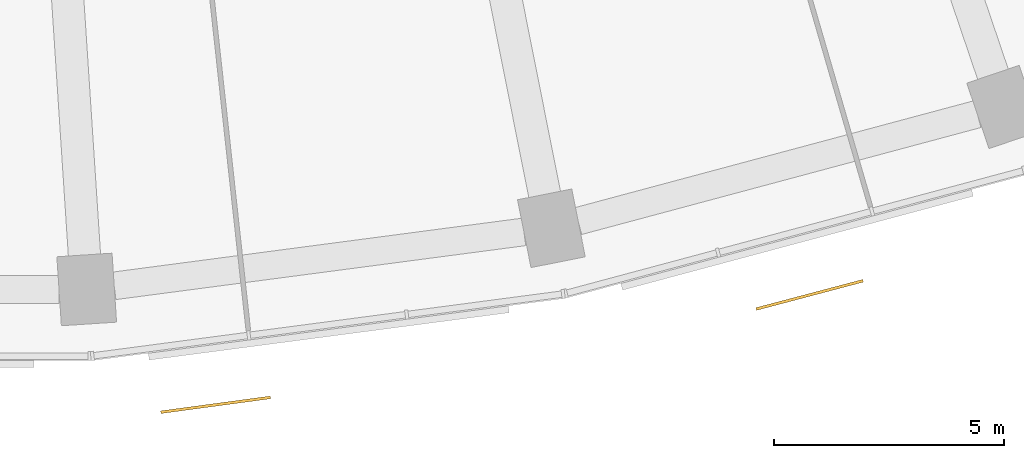
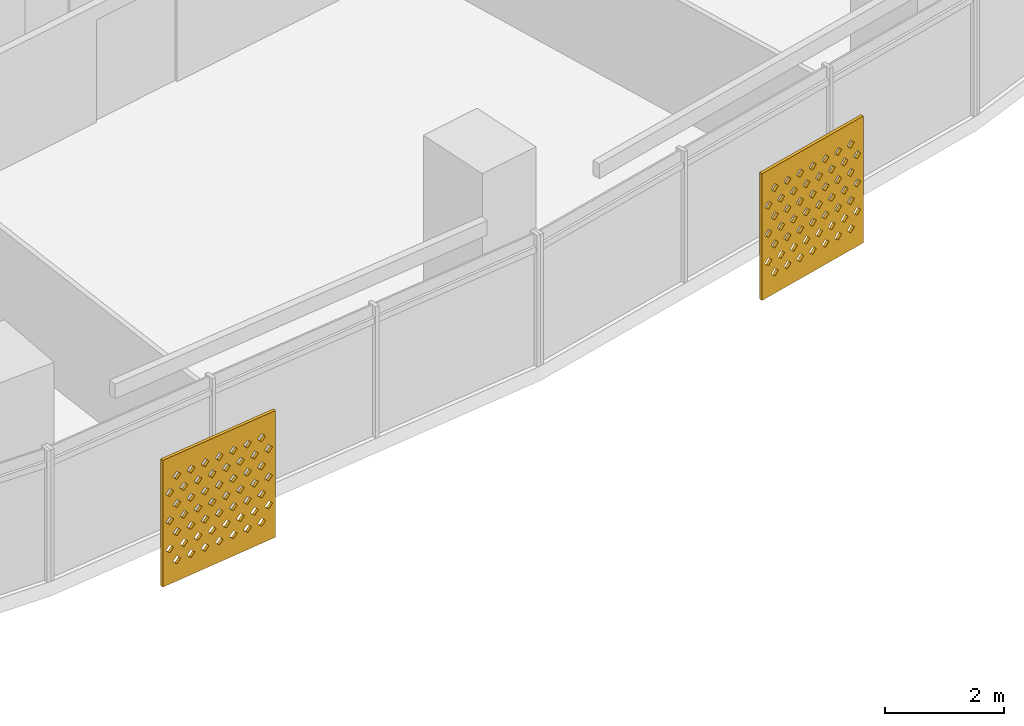
# One storey, part 27 of 30: 2 shading devices.
"""IFC4 building model written with IfcOpenShell, lengths in metres."""

from ifc_helpers import new_model, si_unit, direction, frame, origin, place, context, subcontext, project, spatial, polyline, outline, extrude, material, material_profile, profile_set, type_object, element, save


model = new_model("IFC4")

# Units and contexts
model_context = context("Model", 3, precision=1e-05, world=origin(), true_north=direction((0.0, 1.0)))
body_context = subcontext(model_context, "Body", "Model", "MODEL_VIEW")
ifc_project = project(units=[si_unit("LENGTHUNIT", "METRE"), si_unit("AREAUNIT", "SQUARE_METRE"), si_unit("VOLUMEUNIT", "CUBIC_METRE"), si_unit("PLANEANGLEUNIT", "RADIAN"), si_unit("MASSUNIT", "GRAM", prefix="KILO")], contexts=[model_context])

# Site, building, storey
site_placement = place(None, origin())
site = spatial("IfcSite", under=ifc_project, at=site_placement, CompositionType="ELEMENT")
building_placement = place(site_placement, origin())
building = spatial("IfcBuilding", under=site, at=building_placement, Name="Qamariyya Broadcast Tower", CompositionType="ELEMENT")
storey_placement = place(building_placement, frame((0.0, 0.0, 98.699951171875)))
storey = spatial("IfcBuildingStorey", under=building, at=storey_placement, Name="L21", CompositionType="ELEMENT", Elevation=98.699951171875)

# Shading devices
ifc_material = material(Name="Perforated glazed terracotta", Category="masonry")
ifc_material_profile = material_profile(ifc_material, outline(polyline([(-1.199951171875, -1.300048828125), (1.199951171875, -1.300048828125), (1.199951171875, 1.300048828125), (-1.199951171875, 1.300048828125), (-1.199951171875, -1.300048828125)]), holes=[polyline([(-0.81494140625, -0.86669921875), (-0.89990234375, -0.78173828125), (-0.985107421875, -0.86669921875), (-0.89990234375, -0.95166015625), (-0.81494140625, -0.86669921875)]), polyline([(-0.514892578125, -0.86669921875), (-0.60009765625, -0.78173828125), (-0.68505859375, -0.86669921875), (-0.60009765625, -0.95166015625), (-0.514892578125, -0.86669921875)]), polyline([(-0.215087890625, -0.86669921875), (-0.300048828125, -0.78173828125), (-0.385009765625, -0.86669921875), (-0.300048828125, -0.95166015625), (-0.215087890625, -0.86669921875)]), polyline([(0.0849609375, -0.86669921875), (0.0, -0.78173828125), (-0.0849609375, -0.86669921875), (0.0, -0.95166015625), (0.0849609375, -0.86669921875)]), polyline([(0.385009765625, -0.86669921875), (0.300048828125, -0.78173828125), (0.215087890625, -0.86669921875), (0.300048828125, -0.95166015625), (0.385009765625, -0.86669921875)]), polyline([(0.68505859375, -0.86669921875), (0.60009765625, -0.78173828125), (0.514892578125, -0.86669921875), (0.60009765625, -0.95166015625), (0.68505859375, -0.86669921875)]), polyline([(0.985107421875, -0.86669921875), (0.89990234375, -0.78173828125), (0.81494140625, -0.86669921875), (0.89990234375, -0.95166015625), (0.985107421875, -0.86669921875)]), polyline([(-0.965087890625, -0.577880859375), (-1.050048828125, -0.49267578125), (-1.135009765625, -0.577880859375), (-1.050048828125, -0.662841796875), (-0.965087890625, -0.577880859375)]), polyline([(-0.6650390625, -0.577880859375), (-0.75, -0.49267578125), (-0.8349609375, -0.577880859375), (-0.75, -0.662841796875), (-0.6650390625, -0.577880859375)]), polyline([(-0.364990234375, -0.577880859375), (-0.449951171875, -0.49267578125), (-0.534912109375, -0.577880859375), (-0.449951171875, -0.662841796875), (-0.364990234375, -0.577880859375)]), polyline([(-0.06494140625, -0.577880859375), (-0.14990234375, -0.49267578125), (-0.235107421875, -0.577880859375), (-0.14990234375, -0.662841796875), (-0.06494140625, -0.577880859375)]), polyline([(0.235107421875, -0.577880859375), (0.14990234375, -0.49267578125), (0.06494140625, -0.577880859375), (0.14990234375, -0.662841796875), (0.235107421875, -0.577880859375)]), polyline([(0.534912109375, -0.577880859375), (0.449951171875, -0.49267578125), (0.364990234375, -0.577880859375), (0.449951171875, -0.662841796875), (0.534912109375, -0.577880859375)]), polyline([(0.8349609375, -0.577880859375), (0.75, -0.49267578125), (0.6650390625, -0.577880859375), (0.75, -0.662841796875), (0.8349609375, -0.577880859375)]), polyline([(1.135009765625, -0.577880859375), (1.050048828125, -0.49267578125), (0.965087890625, -0.577880859375), (1.050048828125, -0.662841796875), (1.135009765625, -0.577880859375)]), polyline([(-0.81494140625, -0.288818359375), (-0.89990234375, -0.203857421875), (-0.985107421875, -0.288818359375), (-0.89990234375, -0.373779296875), (-0.81494140625, -0.288818359375)]), polyline([(-0.514892578125, -0.288818359375), (-0.60009765625, -0.203857421875), (-0.68505859375, -0.288818359375), (-0.60009765625, -0.373779296875), (-0.514892578125, -0.288818359375)]), polyline([(-0.215087890625, -0.288818359375), (-0.300048828125, -0.203857421875), (-0.385009765625, -0.288818359375), (-0.300048828125, -0.373779296875), (-0.215087890625, -0.288818359375)]), polyline([(0.0849609375, -0.288818359375), (0.0, -0.203857421875), (-0.0849609375, -0.288818359375), (0.0, -0.373779296875), (0.0849609375, -0.288818359375)]), polyline([(0.385009765625, -0.288818359375), (0.300048828125, -0.203857421875), (0.215087890625, -0.288818359375), (0.300048828125, -0.373779296875), (0.385009765625, -0.288818359375)]), polyline([(0.68505859375, -0.288818359375), (0.60009765625, -0.203857421875), (0.514892578125, -0.288818359375), (0.60009765625, -0.373779296875), (0.68505859375, -0.288818359375)]), polyline([(0.985107421875, -0.288818359375), (0.89990234375, -0.203857421875), (0.81494140625, -0.288818359375), (0.89990234375, -0.373779296875), (0.985107421875, -0.288818359375)]), polyline([(-0.965087890625, 0.0), (-1.050048828125, 0.0849609375), (-1.135009765625, 0.0), (-1.050048828125, -0.0849609375), (-0.965087890625, 0.0)]), polyline([(-0.6650390625, 0.0), (-0.75, 0.0849609375), (-0.8349609375, 0.0), (-0.75, -0.0849609375), (-0.6650390625, 0.0)]), polyline([(-0.364990234375, 0.0), (-0.449951171875, 0.0849609375), (-0.534912109375, 0.0), (-0.449951171875, -0.0849609375), (-0.364990234375, 0.0)]), polyline([(-0.06494140625, 0.0), (-0.14990234375, 0.0849609375), (-0.235107421875, 0.0), (-0.14990234375, -0.0849609375), (-0.06494140625, 0.0)]), polyline([(0.235107421875, 0.0), (0.14990234375, 0.0849609375), (0.06494140625, 0.0), (0.14990234375, -0.0849609375), (0.235107421875, 0.0)]), polyline([(0.534912109375, 0.0), (0.449951171875, 0.0849609375), (0.364990234375, 0.0), (0.449951171875, -0.0849609375), (0.534912109375, 0.0)]), polyline([(0.8349609375, 0.0), (0.75, 0.0849609375), (0.6650390625, 0.0), (0.75, -0.0849609375), (0.8349609375, 0.0)]), polyline([(1.135009765625, 0.0), (1.050048828125, 0.0849609375), (0.965087890625, 0.0), (1.050048828125, -0.0849609375), (1.135009765625, 0.0)]), polyline([(-0.81494140625, 0.288818359375), (-0.89990234375, 0.373779296875), (-0.985107421875, 0.288818359375), (-0.89990234375, 0.203857421875), (-0.81494140625, 0.288818359375)]), polyline([(-0.514892578125, 0.288818359375), (-0.60009765625, 0.373779296875), (-0.68505859375, 0.288818359375), (-0.60009765625, 0.203857421875), (-0.514892578125, 0.288818359375)]), polyline([(-0.215087890625, 0.288818359375), (-0.300048828125, 0.373779296875), (-0.385009765625, 0.288818359375), (-0.300048828125, 0.203857421875), (-0.215087890625, 0.288818359375)]), polyline([(0.0849609375, 0.288818359375), (0.0, 0.373779296875), (-0.0849609375, 0.288818359375), (0.0, 0.203857421875), (0.0849609375, 0.288818359375)]), polyline([(0.385009765625, 0.288818359375), (0.300048828125, 0.373779296875), (0.215087890625, 0.288818359375), (0.300048828125, 0.203857421875), (0.385009765625, 0.288818359375)]), polyline([(0.68505859375, 0.288818359375), (0.60009765625, 0.373779296875), (0.514892578125, 0.288818359375), (0.60009765625, 0.203857421875), (0.68505859375, 0.288818359375)]), polyline([(0.985107421875, 0.288818359375), (0.89990234375, 0.373779296875), (0.81494140625, 0.288818359375), (0.89990234375, 0.203857421875), (0.985107421875, 0.288818359375)]), polyline([(-0.965087890625, 0.577880859375), (-1.050048828125, 0.662841796875), (-1.135009765625, 0.577880859375), (-1.050048828125, 0.49267578125), (-0.965087890625, 0.577880859375)]), polyline([(-0.6650390625, 0.577880859375), (-0.75, 0.662841796875), (-0.8349609375, 0.577880859375), (-0.75, 0.49267578125), (-0.6650390625, 0.577880859375)]), polyline([(-0.364990234375, 0.577880859375), (-0.449951171875, 0.662841796875), (-0.534912109375, 0.577880859375), (-0.449951171875, 0.49267578125), (-0.364990234375, 0.577880859375)]), polyline([(-0.06494140625, 0.577880859375), (-0.14990234375, 0.662841796875), (-0.235107421875, 0.577880859375), (-0.14990234375, 0.49267578125), (-0.06494140625, 0.577880859375)]), polyline([(0.235107421875, 0.577880859375), (0.14990234375, 0.662841796875), (0.06494140625, 0.577880859375), (0.14990234375, 0.49267578125), (0.235107421875, 0.577880859375)]), polyline([(0.534912109375, 0.577880859375), (0.449951171875, 0.662841796875), (0.364990234375, 0.577880859375), (0.449951171875, 0.49267578125), (0.534912109375, 0.577880859375)]), polyline([(0.8349609375, 0.577880859375), (0.75, 0.662841796875), (0.6650390625, 0.577880859375), (0.75, 0.49267578125), (0.8349609375, 0.577880859375)]), polyline([(1.135009765625, 0.577880859375), (1.050048828125, 0.662841796875), (0.965087890625, 0.577880859375), (1.050048828125, 0.49267578125), (1.135009765625, 0.577880859375)]), polyline([(-0.81494140625, 0.86669921875), (-0.89990234375, 0.95166015625), (-0.985107421875, 0.86669921875), (-0.89990234375, 0.78173828125), (-0.81494140625, 0.86669921875)]), polyline([(-0.514892578125, 0.86669921875), (-0.60009765625, 0.95166015625), (-0.68505859375, 0.86669921875), (-0.60009765625, 0.78173828125), (-0.514892578125, 0.86669921875)]), polyline([(-0.215087890625, 0.86669921875), (-0.300048828125, 0.95166015625), (-0.385009765625, 0.86669921875), (-0.300048828125, 0.78173828125), (-0.215087890625, 0.86669921875)]), polyline([(0.0849609375, 0.86669921875), (0.0, 0.95166015625), (-0.0849609375, 0.86669921875), (0.0, 0.78173828125), (0.0849609375, 0.86669921875)]), polyline([(0.385009765625, 0.86669921875), (0.300048828125, 0.95166015625), (0.215087890625, 0.86669921875), (0.300048828125, 0.78173828125), (0.385009765625, 0.86669921875)]), polyline([(0.68505859375, 0.86669921875), (0.60009765625, 0.95166015625), (0.514892578125, 0.86669921875), (0.60009765625, 0.78173828125), (0.68505859375, 0.86669921875)]), polyline([(0.985107421875, 0.86669921875), (0.89990234375, 0.95166015625), (0.81494140625, 0.86669921875), (0.89990234375, 0.78173828125), (0.985107421875, 0.86669921875)])]))
ifc_profile_set = profile_set([ifc_material_profile], Name="Perforated glazed terracotta")
shading_device_type = type_object("IfcShadingDeviceType", Name="Perforated terracotta screen 2400 x 2600", PredefinedType="USERDEFINED", material=ifc_profile_set)
shading_device_1_placement = place(storey_placement, frame((7.876953125, -80.056884765625, 1.35009765625), z_axis=(0.134025693798, -0.99097785717, 0.0), x_axis=(0.99097785717, 0.134025693798, 0.0)))
element("IfcShadingDevice", 1, at=shading_device_1_placement, inside=storey, type_object=shading_device_type, Name="e-scr-L21-10-0", ObjectType="SCREEN", PredefinedType="USERDEFINED", context=body_context, shape_type="SweptSolid", body=[
    extrude(outline(polyline([(-1.199951171875, -1.300048828125), (1.199951171875, -1.300048828125), (1.199951171875, 1.300048828125), (-1.199951171875, 1.300048828125), (-1.199951171875, -1.300048828125)]), holes=[polyline([(-0.81494140625, -0.86669921875), (-0.89990234375, -0.78173828125), (-0.985107421875, -0.86669921875), (-0.89990234375, -0.95166015625), (-0.81494140625, -0.86669921875)]), polyline([(-0.514892578125, -0.86669921875), (-0.60009765625, -0.78173828125), (-0.68505859375, -0.86669921875), (-0.60009765625, -0.95166015625), (-0.514892578125, -0.86669921875)]), polyline([(-0.215087890625, -0.86669921875), (-0.300048828125, -0.78173828125), (-0.385009765625, -0.86669921875), (-0.300048828125, -0.95166015625), (-0.215087890625, -0.86669921875)]), polyline([(0.0849609375, -0.86669921875), (0.0, -0.78173828125), (-0.0849609375, -0.86669921875), (0.0, -0.95166015625), (0.0849609375, -0.86669921875)]), polyline([(0.385009765625, -0.86669921875), (0.300048828125, -0.78173828125), (0.215087890625, -0.86669921875), (0.300048828125, -0.95166015625), (0.385009765625, -0.86669921875)]), polyline([(0.68505859375, -0.86669921875), (0.60009765625, -0.78173828125), (0.514892578125, -0.86669921875), (0.60009765625, -0.95166015625), (0.68505859375, -0.86669921875)]), polyline([(0.985107421875, -0.86669921875), (0.89990234375, -0.78173828125), (0.81494140625, -0.86669921875), (0.89990234375, -0.95166015625), (0.985107421875, -0.86669921875)]), polyline([(-0.965087890625, -0.577880859375), (-1.050048828125, -0.49267578125), (-1.135009765625, -0.577880859375), (-1.050048828125, -0.662841796875), (-0.965087890625, -0.577880859375)]), polyline([(-0.6650390625, -0.577880859375), (-0.75, -0.49267578125), (-0.8349609375, -0.577880859375), (-0.75, -0.662841796875), (-0.6650390625, -0.577880859375)]), polyline([(-0.364990234375, -0.577880859375), (-0.449951171875, -0.49267578125), (-0.534912109375, -0.577880859375), (-0.449951171875, -0.662841796875), (-0.364990234375, -0.577880859375)]), polyline([(-0.06494140625, -0.577880859375), (-0.14990234375, -0.49267578125), (-0.235107421875, -0.577880859375), (-0.14990234375, -0.662841796875), (-0.06494140625, -0.577880859375)]), polyline([(0.235107421875, -0.577880859375), (0.14990234375, -0.49267578125), (0.06494140625, -0.577880859375), (0.14990234375, -0.662841796875), (0.235107421875, -0.577880859375)]), polyline([(0.534912109375, -0.577880859375), (0.449951171875, -0.49267578125), (0.364990234375, -0.577880859375), (0.449951171875, -0.662841796875), (0.534912109375, -0.577880859375)]), polyline([(0.8349609375, -0.577880859375), (0.75, -0.49267578125), (0.6650390625, -0.577880859375), (0.75, -0.662841796875), (0.8349609375, -0.577880859375)]), polyline([(1.135009765625, -0.577880859375), (1.050048828125, -0.49267578125), (0.965087890625, -0.577880859375), (1.050048828125, -0.662841796875), (1.135009765625, -0.577880859375)]), polyline([(-0.81494140625, -0.288818359375), (-0.89990234375, -0.203857421875), (-0.985107421875, -0.288818359375), (-0.89990234375, -0.373779296875), (-0.81494140625, -0.288818359375)]), polyline([(-0.514892578125, -0.288818359375), (-0.60009765625, -0.203857421875), (-0.68505859375, -0.288818359375), (-0.60009765625, -0.373779296875), (-0.514892578125, -0.288818359375)]), polyline([(-0.215087890625, -0.288818359375), (-0.300048828125, -0.203857421875), (-0.385009765625, -0.288818359375), (-0.300048828125, -0.373779296875), (-0.215087890625, -0.288818359375)]), polyline([(0.0849609375, -0.288818359375), (0.0, -0.203857421875), (-0.0849609375, -0.288818359375), (0.0, -0.373779296875), (0.0849609375, -0.288818359375)]), polyline([(0.385009765625, -0.288818359375), (0.300048828125, -0.203857421875), (0.215087890625, -0.288818359375), (0.300048828125, -0.373779296875), (0.385009765625, -0.288818359375)]), polyline([(0.68505859375, -0.288818359375), (0.60009765625, -0.203857421875), (0.514892578125, -0.288818359375), (0.60009765625, -0.373779296875), (0.68505859375, -0.288818359375)]), polyline([(0.985107421875, -0.288818359375), (0.89990234375, -0.203857421875), (0.81494140625, -0.288818359375), (0.89990234375, -0.373779296875), (0.985107421875, -0.288818359375)]), polyline([(-0.965087890625, 0.0), (-1.050048828125, 0.0849609375), (-1.135009765625, 0.0), (-1.050048828125, -0.0849609375), (-0.965087890625, 0.0)]), polyline([(-0.6650390625, 0.0), (-0.75, 0.0849609375), (-0.8349609375, 0.0), (-0.75, -0.0849609375), (-0.6650390625, 0.0)]), polyline([(-0.364990234375, 0.0), (-0.449951171875, 0.0849609375), (-0.534912109375, 0.0), (-0.449951171875, -0.0849609375), (-0.364990234375, 0.0)]), polyline([(-0.06494140625, 0.0), (-0.14990234375, 0.0849609375), (-0.235107421875, 0.0), (-0.14990234375, -0.0849609375), (-0.06494140625, 0.0)]), polyline([(0.235107421875, 0.0), (0.14990234375, 0.0849609375), (0.06494140625, 0.0), (0.14990234375, -0.0849609375), (0.235107421875, 0.0)]), polyline([(0.534912109375, 0.0), (0.449951171875, 0.0849609375), (0.364990234375, 0.0), (0.449951171875, -0.0849609375), (0.534912109375, 0.0)]), polyline([(0.8349609375, 0.0), (0.75, 0.0849609375), (0.6650390625, 0.0), (0.75, -0.0849609375), (0.8349609375, 0.0)]), polyline([(1.135009765625, 0.0), (1.050048828125, 0.0849609375), (0.965087890625, 0.0), (1.050048828125, -0.0849609375), (1.135009765625, 0.0)]), polyline([(-0.81494140625, 0.288818359375), (-0.89990234375, 0.373779296875), (-0.985107421875, 0.288818359375), (-0.89990234375, 0.203857421875), (-0.81494140625, 0.288818359375)]), polyline([(-0.514892578125, 0.288818359375), (-0.60009765625, 0.373779296875), (-0.68505859375, 0.288818359375), (-0.60009765625, 0.203857421875), (-0.514892578125, 0.288818359375)]), polyline([(-0.215087890625, 0.288818359375), (-0.300048828125, 0.373779296875), (-0.385009765625, 0.288818359375), (-0.300048828125, 0.203857421875), (-0.215087890625, 0.288818359375)]), polyline([(0.0849609375, 0.288818359375), (0.0, 0.373779296875), (-0.0849609375, 0.288818359375), (0.0, 0.203857421875), (0.0849609375, 0.288818359375)]), polyline([(0.385009765625, 0.288818359375), (0.300048828125, 0.373779296875), (0.215087890625, 0.288818359375), (0.300048828125, 0.203857421875), (0.385009765625, 0.288818359375)]), polyline([(0.68505859375, 0.288818359375), (0.60009765625, 0.373779296875), (0.514892578125, 0.288818359375), (0.60009765625, 0.203857421875), (0.68505859375, 0.288818359375)]), polyline([(0.985107421875, 0.288818359375), (0.89990234375, 0.373779296875), (0.81494140625, 0.288818359375), (0.89990234375, 0.203857421875), (0.985107421875, 0.288818359375)]), polyline([(-0.965087890625, 0.577880859375), (-1.050048828125, 0.662841796875), (-1.135009765625, 0.577880859375), (-1.050048828125, 0.49267578125), (-0.965087890625, 0.577880859375)]), polyline([(-0.6650390625, 0.577880859375), (-0.75, 0.662841796875), (-0.8349609375, 0.577880859375), (-0.75, 0.49267578125), (-0.6650390625, 0.577880859375)]), polyline([(-0.364990234375, 0.577880859375), (-0.449951171875, 0.662841796875), (-0.534912109375, 0.577880859375), (-0.449951171875, 0.49267578125), (-0.364990234375, 0.577880859375)]), polyline([(-0.06494140625, 0.577880859375), (-0.14990234375, 0.662841796875), (-0.235107421875, 0.577880859375), (-0.14990234375, 0.49267578125), (-0.06494140625, 0.577880859375)]), polyline([(0.235107421875, 0.577880859375), (0.14990234375, 0.662841796875), (0.06494140625, 0.577880859375), (0.14990234375, 0.49267578125), (0.235107421875, 0.577880859375)]), polyline([(0.534912109375, 0.577880859375), (0.449951171875, 0.662841796875), (0.364990234375, 0.577880859375), (0.449951171875, 0.49267578125), (0.534912109375, 0.577880859375)]), polyline([(0.8349609375, 0.577880859375), (0.75, 0.662841796875), (0.6650390625, 0.577880859375), (0.75, 0.49267578125), (0.8349609375, 0.577880859375)]), polyline([(1.135009765625, 0.577880859375), (1.050048828125, 0.662841796875), (0.965087890625, 0.577880859375), (1.050048828125, 0.49267578125), (1.135009765625, 0.577880859375)]), polyline([(-0.81494140625, 0.86669921875), (-0.89990234375, 0.95166015625), (-0.985107421875, 0.86669921875), (-0.89990234375, 0.78173828125), (-0.81494140625, 0.86669921875)]), polyline([(-0.514892578125, 0.86669921875), (-0.60009765625, 0.95166015625), (-0.68505859375, 0.86669921875), (-0.60009765625, 0.78173828125), (-0.514892578125, 0.86669921875)]), polyline([(-0.215087890625, 0.86669921875), (-0.300048828125, 0.95166015625), (-0.385009765625, 0.86669921875), (-0.300048828125, 0.78173828125), (-0.215087890625, 0.86669921875)]), polyline([(0.0849609375, 0.86669921875), (0.0, 0.95166015625), (-0.0849609375, 0.86669921875), (0.0, 0.78173828125), (0.0849609375, 0.86669921875)]), polyline([(0.385009765625, 0.86669921875), (0.300048828125, 0.95166015625), (0.215087890625, 0.86669921875), (0.300048828125, 0.78173828125), (0.385009765625, 0.86669921875)]), polyline([(0.68505859375, 0.86669921875), (0.60009765625, 0.95166015625), (0.514892578125, 0.86669921875), (0.60009765625, 0.78173828125), (0.68505859375, 0.86669921875)]), polyline([(0.985107421875, 0.86669921875), (0.89990234375, 0.95166015625), (0.81494140625, 0.86669921875), (0.89990234375, 0.78173828125), (0.985107421875, 0.86669921875)])]), origin(), (0.0, 0.0, 1.0), 0.06005859375),
])
shading_device_2_placement = place(storey_placement, frame((20.76416015625, -77.672607421875, 1.35009765625), z_axis=(0.255892560316, -0.966705227862, 0.0), x_axis=(0.966705227862, 0.255892560316, 0.0)))
element("IfcShadingDevice", 2, at=shading_device_2_placement, inside=storey, type_object=shading_device_type, Name="e-scr-L21-11-1", ObjectType="SCREEN", PredefinedType="USERDEFINED", context=body_context, shape_type="SweptSolid", body=[
    extrude(outline(polyline([(-1.199951171875, -1.300048828125), (1.199951171875, -1.300048828125), (1.199951171875, 1.300048828125), (-1.199951171875, 1.300048828125), (-1.199951171875, -1.300048828125)]), holes=[polyline([(-0.81494140625, -0.86669921875), (-0.89990234375, -0.78173828125), (-0.985107421875, -0.86669921875), (-0.89990234375, -0.95166015625), (-0.81494140625, -0.86669921875)]), polyline([(-0.514892578125, -0.86669921875), (-0.60009765625, -0.78173828125), (-0.68505859375, -0.86669921875), (-0.60009765625, -0.95166015625), (-0.514892578125, -0.86669921875)]), polyline([(-0.215087890625, -0.86669921875), (-0.300048828125, -0.78173828125), (-0.385009765625, -0.86669921875), (-0.300048828125, -0.95166015625), (-0.215087890625, -0.86669921875)]), polyline([(0.0849609375, -0.86669921875), (0.0, -0.78173828125), (-0.0849609375, -0.86669921875), (0.0, -0.95166015625), (0.0849609375, -0.86669921875)]), polyline([(0.385009765625, -0.86669921875), (0.300048828125, -0.78173828125), (0.215087890625, -0.86669921875), (0.300048828125, -0.95166015625), (0.385009765625, -0.86669921875)]), polyline([(0.68505859375, -0.86669921875), (0.60009765625, -0.78173828125), (0.514892578125, -0.86669921875), (0.60009765625, -0.95166015625), (0.68505859375, -0.86669921875)]), polyline([(0.985107421875, -0.86669921875), (0.89990234375, -0.78173828125), (0.81494140625, -0.86669921875), (0.89990234375, -0.95166015625), (0.985107421875, -0.86669921875)]), polyline([(-0.965087890625, -0.577880859375), (-1.050048828125, -0.49267578125), (-1.135009765625, -0.577880859375), (-1.050048828125, -0.662841796875), (-0.965087890625, -0.577880859375)]), polyline([(-0.6650390625, -0.577880859375), (-0.75, -0.49267578125), (-0.8349609375, -0.577880859375), (-0.75, -0.662841796875), (-0.6650390625, -0.577880859375)]), polyline([(-0.364990234375, -0.577880859375), (-0.449951171875, -0.49267578125), (-0.534912109375, -0.577880859375), (-0.449951171875, -0.662841796875), (-0.364990234375, -0.577880859375)]), polyline([(-0.06494140625, -0.577880859375), (-0.14990234375, -0.49267578125), (-0.235107421875, -0.577880859375), (-0.14990234375, -0.662841796875), (-0.06494140625, -0.577880859375)]), polyline([(0.235107421875, -0.577880859375), (0.14990234375, -0.49267578125), (0.06494140625, -0.577880859375), (0.14990234375, -0.662841796875), (0.235107421875, -0.577880859375)]), polyline([(0.534912109375, -0.577880859375), (0.449951171875, -0.49267578125), (0.364990234375, -0.577880859375), (0.449951171875, -0.662841796875), (0.534912109375, -0.577880859375)]), polyline([(0.8349609375, -0.577880859375), (0.75, -0.49267578125), (0.6650390625, -0.577880859375), (0.75, -0.662841796875), (0.8349609375, -0.577880859375)]), polyline([(1.135009765625, -0.577880859375), (1.050048828125, -0.49267578125), (0.965087890625, -0.577880859375), (1.050048828125, -0.662841796875), (1.135009765625, -0.577880859375)]), polyline([(-0.81494140625, -0.288818359375), (-0.89990234375, -0.203857421875), (-0.985107421875, -0.288818359375), (-0.89990234375, -0.373779296875), (-0.81494140625, -0.288818359375)]), polyline([(-0.514892578125, -0.288818359375), (-0.60009765625, -0.203857421875), (-0.68505859375, -0.288818359375), (-0.60009765625, -0.373779296875), (-0.514892578125, -0.288818359375)]), polyline([(-0.215087890625, -0.288818359375), (-0.300048828125, -0.203857421875), (-0.385009765625, -0.288818359375), (-0.300048828125, -0.373779296875), (-0.215087890625, -0.288818359375)]), polyline([(0.0849609375, -0.288818359375), (0.0, -0.203857421875), (-0.0849609375, -0.288818359375), (0.0, -0.373779296875), (0.0849609375, -0.288818359375)]), polyline([(0.385009765625, -0.288818359375), (0.300048828125, -0.203857421875), (0.215087890625, -0.288818359375), (0.300048828125, -0.373779296875), (0.385009765625, -0.288818359375)]), polyline([(0.68505859375, -0.288818359375), (0.60009765625, -0.203857421875), (0.514892578125, -0.288818359375), (0.60009765625, -0.373779296875), (0.68505859375, -0.288818359375)]), polyline([(0.985107421875, -0.288818359375), (0.89990234375, -0.203857421875), (0.81494140625, -0.288818359375), (0.89990234375, -0.373779296875), (0.985107421875, -0.288818359375)]), polyline([(-0.965087890625, 0.0), (-1.050048828125, 0.0849609375), (-1.135009765625, 0.0), (-1.050048828125, -0.0849609375), (-0.965087890625, 0.0)]), polyline([(-0.6650390625, 0.0), (-0.75, 0.0849609375), (-0.8349609375, 0.0), (-0.75, -0.0849609375), (-0.6650390625, 0.0)]), polyline([(-0.364990234375, 0.0), (-0.449951171875, 0.0849609375), (-0.534912109375, 0.0), (-0.449951171875, -0.0849609375), (-0.364990234375, 0.0)]), polyline([(-0.06494140625, 0.0), (-0.14990234375, 0.0849609375), (-0.235107421875, 0.0), (-0.14990234375, -0.0849609375), (-0.06494140625, 0.0)]), polyline([(0.235107421875, 0.0), (0.14990234375, 0.0849609375), (0.06494140625, 0.0), (0.14990234375, -0.0849609375), (0.235107421875, 0.0)]), polyline([(0.534912109375, 0.0), (0.449951171875, 0.0849609375), (0.364990234375, 0.0), (0.449951171875, -0.0849609375), (0.534912109375, 0.0)]), polyline([(0.8349609375, 0.0), (0.75, 0.0849609375), (0.6650390625, 0.0), (0.75, -0.0849609375), (0.8349609375, 0.0)]), polyline([(1.135009765625, 0.0), (1.050048828125, 0.0849609375), (0.965087890625, 0.0), (1.050048828125, -0.0849609375), (1.135009765625, 0.0)]), polyline([(-0.81494140625, 0.288818359375), (-0.89990234375, 0.373779296875), (-0.985107421875, 0.288818359375), (-0.89990234375, 0.203857421875), (-0.81494140625, 0.288818359375)]), polyline([(-0.514892578125, 0.288818359375), (-0.60009765625, 0.373779296875), (-0.68505859375, 0.288818359375), (-0.60009765625, 0.203857421875), (-0.514892578125, 0.288818359375)]), polyline([(-0.215087890625, 0.288818359375), (-0.300048828125, 0.373779296875), (-0.385009765625, 0.288818359375), (-0.300048828125, 0.203857421875), (-0.215087890625, 0.288818359375)]), polyline([(0.0849609375, 0.288818359375), (0.0, 0.373779296875), (-0.0849609375, 0.288818359375), (0.0, 0.203857421875), (0.0849609375, 0.288818359375)]), polyline([(0.385009765625, 0.288818359375), (0.300048828125, 0.373779296875), (0.215087890625, 0.288818359375), (0.300048828125, 0.203857421875), (0.385009765625, 0.288818359375)]), polyline([(0.68505859375, 0.288818359375), (0.60009765625, 0.373779296875), (0.514892578125, 0.288818359375), (0.60009765625, 0.203857421875), (0.68505859375, 0.288818359375)]), polyline([(0.985107421875, 0.288818359375), (0.89990234375, 0.373779296875), (0.81494140625, 0.288818359375), (0.89990234375, 0.203857421875), (0.985107421875, 0.288818359375)]), polyline([(-0.965087890625, 0.577880859375), (-1.050048828125, 0.662841796875), (-1.135009765625, 0.577880859375), (-1.050048828125, 0.49267578125), (-0.965087890625, 0.577880859375)]), polyline([(-0.6650390625, 0.577880859375), (-0.75, 0.662841796875), (-0.8349609375, 0.577880859375), (-0.75, 0.49267578125), (-0.6650390625, 0.577880859375)]), polyline([(-0.364990234375, 0.577880859375), (-0.449951171875, 0.662841796875), (-0.534912109375, 0.577880859375), (-0.449951171875, 0.49267578125), (-0.364990234375, 0.577880859375)]), polyline([(-0.06494140625, 0.577880859375), (-0.14990234375, 0.662841796875), (-0.235107421875, 0.577880859375), (-0.14990234375, 0.49267578125), (-0.06494140625, 0.577880859375)]), polyline([(0.235107421875, 0.577880859375), (0.14990234375, 0.662841796875), (0.06494140625, 0.577880859375), (0.14990234375, 0.49267578125), (0.235107421875, 0.577880859375)]), polyline([(0.534912109375, 0.577880859375), (0.449951171875, 0.662841796875), (0.364990234375, 0.577880859375), (0.449951171875, 0.49267578125), (0.534912109375, 0.577880859375)]), polyline([(0.8349609375, 0.577880859375), (0.75, 0.662841796875), (0.6650390625, 0.577880859375), (0.75, 0.49267578125), (0.8349609375, 0.577880859375)]), polyline([(1.135009765625, 0.577880859375), (1.050048828125, 0.662841796875), (0.965087890625, 0.577880859375), (1.050048828125, 0.49267578125), (1.135009765625, 0.577880859375)]), polyline([(-0.81494140625, 0.86669921875), (-0.89990234375, 0.95166015625), (-0.985107421875, 0.86669921875), (-0.89990234375, 0.78173828125), (-0.81494140625, 0.86669921875)]), polyline([(-0.514892578125, 0.86669921875), (-0.60009765625, 0.95166015625), (-0.68505859375, 0.86669921875), (-0.60009765625, 0.78173828125), (-0.514892578125, 0.86669921875)]), polyline([(-0.215087890625, 0.86669921875), (-0.300048828125, 0.95166015625), (-0.385009765625, 0.86669921875), (-0.300048828125, 0.78173828125), (-0.215087890625, 0.86669921875)]), polyline([(0.0849609375, 0.86669921875), (0.0, 0.95166015625), (-0.0849609375, 0.86669921875), (0.0, 0.78173828125), (0.0849609375, 0.86669921875)]), polyline([(0.385009765625, 0.86669921875), (0.300048828125, 0.95166015625), (0.215087890625, 0.86669921875), (0.300048828125, 0.78173828125), (0.385009765625, 0.86669921875)]), polyline([(0.68505859375, 0.86669921875), (0.60009765625, 0.95166015625), (0.514892578125, 0.86669921875), (0.60009765625, 0.78173828125), (0.68505859375, 0.86669921875)]), polyline([(0.985107421875, 0.86669921875), (0.89990234375, 0.95166015625), (0.81494140625, 0.86669921875), (0.89990234375, 0.78173828125), (0.985107421875, 0.86669921875)])]), origin(), (0.0, 0.0, 1.0), 0.06005859375),
])

save(model, "model.ifc")
